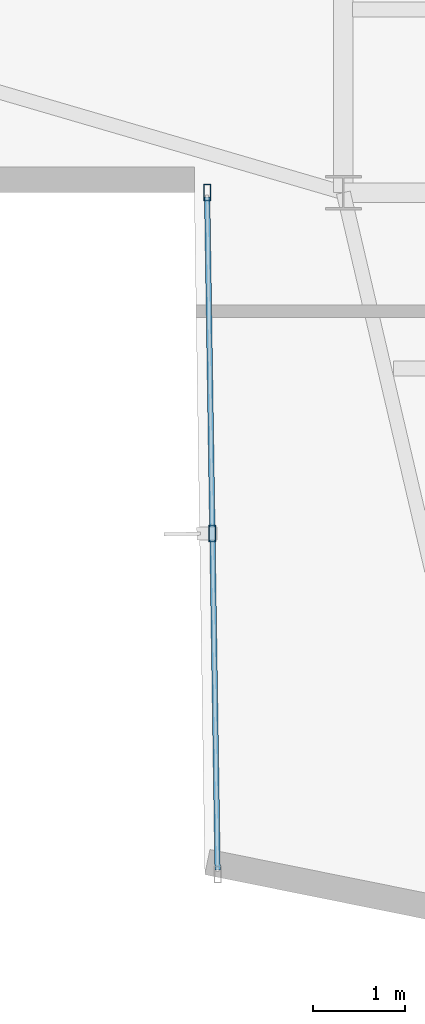
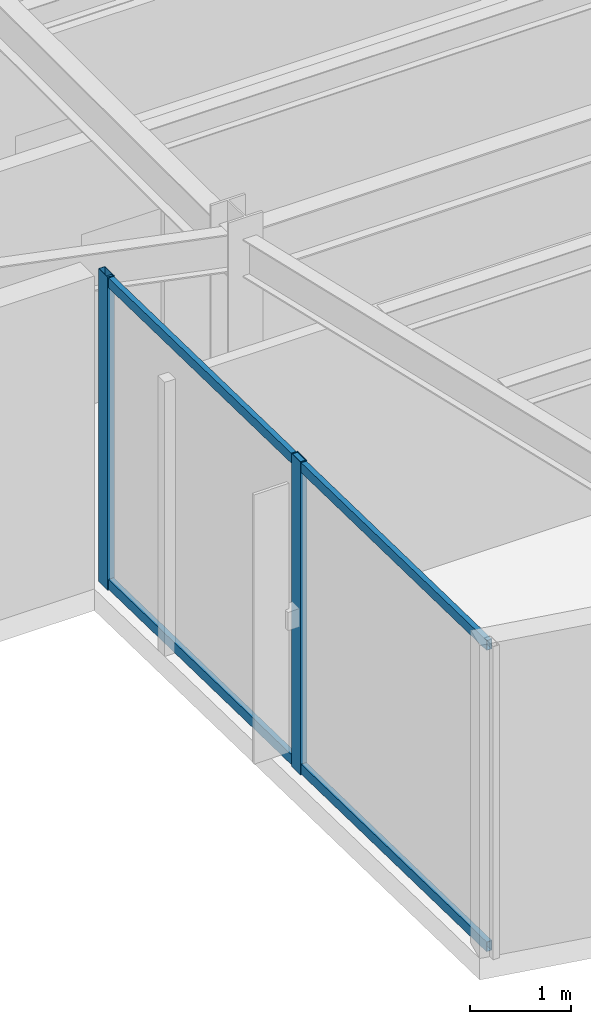
# One storey, part 2 of 23: 4 members, 1 element without a shape of its own.
"""IFC4 building model written with IfcOpenShell, lengths in metres."""

from ifc_helpers import new_model, si_unit, direction, frame, origin, origin_2d, place, context, subcontext, project, spatial, hollow_rectangle, extrude, material, layer, layer_set, material_profile, profile_set, type_object, element, aggregate, save


model = new_model("IFC4")

# Units and contexts
model_context = context("Model", 3, precision=1e-05, world=origin(), true_north=direction((0.0, 1.0)))
body_context = subcontext(model_context, "Body", "Model", "MODEL_VIEW")
ifc_project = project(units=[si_unit("LENGTHUNIT", "METRE"), si_unit("AREAUNIT", "SQUARE_METRE"), si_unit("VOLUMEUNIT", "CUBIC_METRE"), si_unit("PLANEANGLEUNIT", "RADIAN"), si_unit("MASSUNIT", "GRAM", prefix="KILO")], contexts=[model_context])

# Site, building, storey
site_placement = place(None, origin())
site = spatial("IfcSite", under=ifc_project, at=site_placement, CompositionType="ELEMENT")
building_placement = place(site_placement, origin())
building = spatial("IfcBuilding", under=site, at=building_placement, Name="Veymaron Broadcast Tower", CompositionType="ELEMENT")
storey_placement = place(building_placement, frame((0.0, 0.0, 224.25)))
storey = spatial("IfcBuildingStorey", under=building, at=storey_placement, Name="L52", CompositionType="ELEMENT", Elevation=224.25)

# Curtain wall, members
ifc_material_1 = material(Name="Anodised aluminium AA 6063-T6 and laminated low-E dark glass", Category="aluminium")
ifc_layer = layer(ifc_material_1, 0.179931640625)
ifc_layer_set = layer_set([ifc_layer], Name="Anodised aluminium AA 6063-T6 and laminated low-E dark glass")
curtain_wall_type = type_object("IfcCurtainWallType", Name="CW-SYS-05", PredefinedType="NOTDEFINED", material=ifc_layer_set)
curtain_wall_placement = place(storey_placement, origin())
curtain_wall = element("IfcCurtainWall", 1, at=curtain_wall_placement, inside=storey, type_object=curtain_wall_type, Name="L52 dark-glass curtain wall CW-L52-E17-1", PredefinedType="NOTDEFINED")
ifc_material_2 = material(Name="Anodised aluminium AA 6063-T6", Category="aluminium")
ifc_material_profile_1 = material_profile(ifc_material_2, hollow_rectangle(XDim=0.074951171875, YDim=0.179931640625, WallThickness=0.0048828125, at=origin_2d()), Name="AL180X75X5")
ifc_profile_set_1 = profile_set([ifc_material_profile_1], Name="Anodised aluminium AA 6063-T6")
member_type_1 = type_object("IfcMemberType", Name="CW-MUL-02", PredefinedType="MULLION", material=ifc_profile_set_1)
member_1_placement = place(storey_placement, frame((29.71240234375, 16.002197265625, 0.0), z_axis=(0.0, 0.0, 1.0), x_axis=(1.0, 0.0, 0.0)))
member_1 = element("IfcMember", 2, at=member_1_placement, type_object=member_type_1, Name="CW-L52-E17-1 mullion 0", PredefinedType="MULLION", context=body_context, shape_type="SweptSolid", body=[
    extrude(hollow_rectangle(XDim=0.074951171875, YDim=0.179931640625, WallThickness=0.0048828125, at=origin_2d()), origin(), (0.0, 0.0, 1.0), 3.7900390625),
])
member_2_placement = place(storey_placement, frame((29.77001953125, 12.27978515625, 0.0), z_axis=(0.0, 0.0, 1.0), x_axis=(1.0, 0.0, 0.0)))
member_2 = element("IfcMember", 3, at=member_2_placement, type_object=member_type_1, Name="CW-L52-E17-1 mullion 1", PredefinedType="MULLION", context=body_context, shape_type="SweptSolid", body=[
    extrude(hollow_rectangle(XDim=0.074951171875, YDim=0.179931640625, WallThickness=0.0048828125, at=origin_2d()), origin(), (0.0, 0.0, 1.0), 3.7900390625),
])
ifc_material_profile_2 = material_profile(ifc_material_2, hollow_rectangle(XDim=0.06005859375, YDim=0.1201171875, WallThickness=0.00390625, at=origin_2d()), Name="AL120X60X4")
ifc_profile_set_2 = profile_set([ifc_material_profile_2], Name="Anodised aluminium AA 6063-T6")
member_type_2 = type_object("IfcMemberType", Name="CW-TRN-02", PredefinedType="USERDEFINED", material=ifc_profile_set_2)
member_3_placement = place(storey_placement, frame((29.713134765625, 15.9521484375, 0.070068359375), z_axis=(0.015487588765, -0.999880060104, 0.0), x_axis=(0.999880060104, 0.015487588765, 0.0)))
member_3 = element("IfcMember", 4, at=member_3_placement, type_object=member_type_2, Name="CW-L52-E17-1 transom B", ObjectType="TRANSOM", PredefinedType="USERDEFINED", context=body_context, shape_type="SweptSolid", body=[
    extrude(hollow_rectangle(XDim=0.06005859375, YDim=0.1201171875, WallThickness=0.00390625, at=origin_2d()), origin(), (0.0, 0.0, 1.0), 7.345947265625),
])
member_4_placement = place(storey_placement, frame((29.713134765625, 15.9521484375, 3.719970703125), z_axis=(0.015487588765, -0.999880060104, 0.0), x_axis=(0.999880060104, 0.015487588765, 0.0)))
member_4 = element("IfcMember", 5, at=member_4_placement, type_object=member_type_2, Name="CW-L52-E17-1 transom T", ObjectType="TRANSOM", PredefinedType="USERDEFINED", context=body_context, shape_type="SweptSolid", body=[
    extrude(hollow_rectangle(XDim=0.06005859375, YDim=0.1201171875, WallThickness=0.00390625, at=origin_2d()), origin(), (0.0, 0.0, 1.0), 7.345947265625),
])
aggregate(curtain_wall, [member_1, member_2, member_3, member_4])

save(model, "model.ifc")
